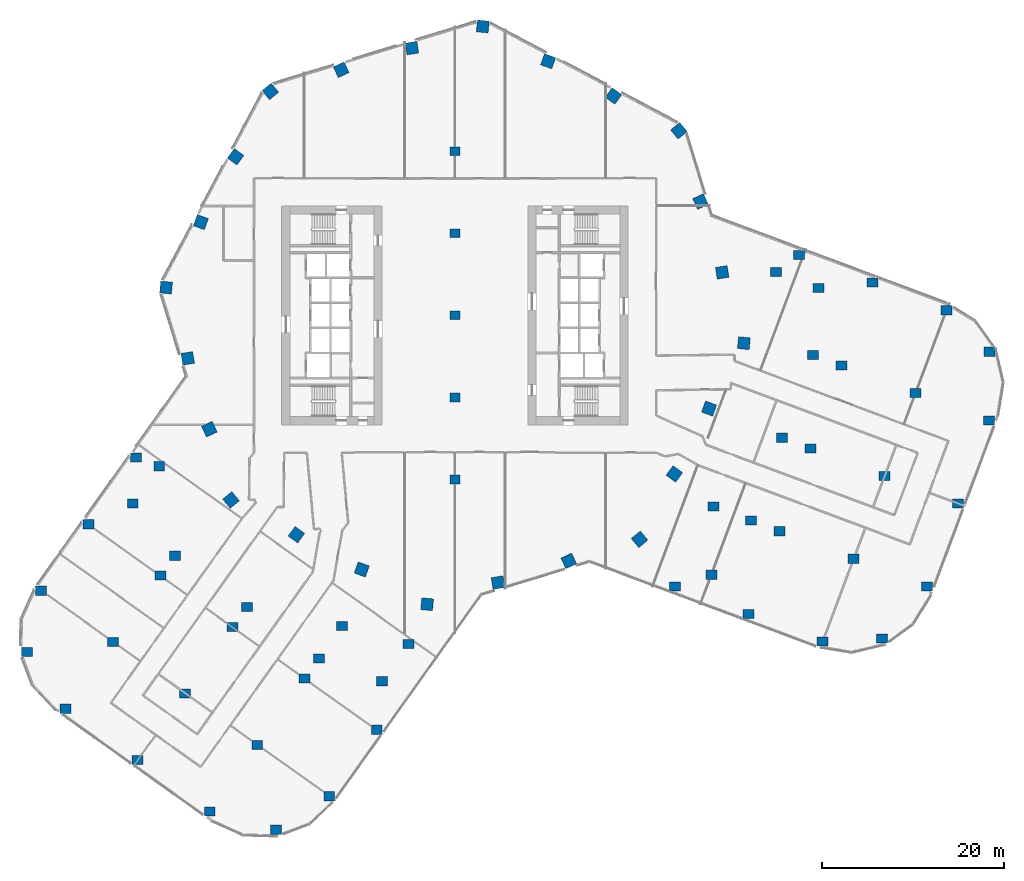
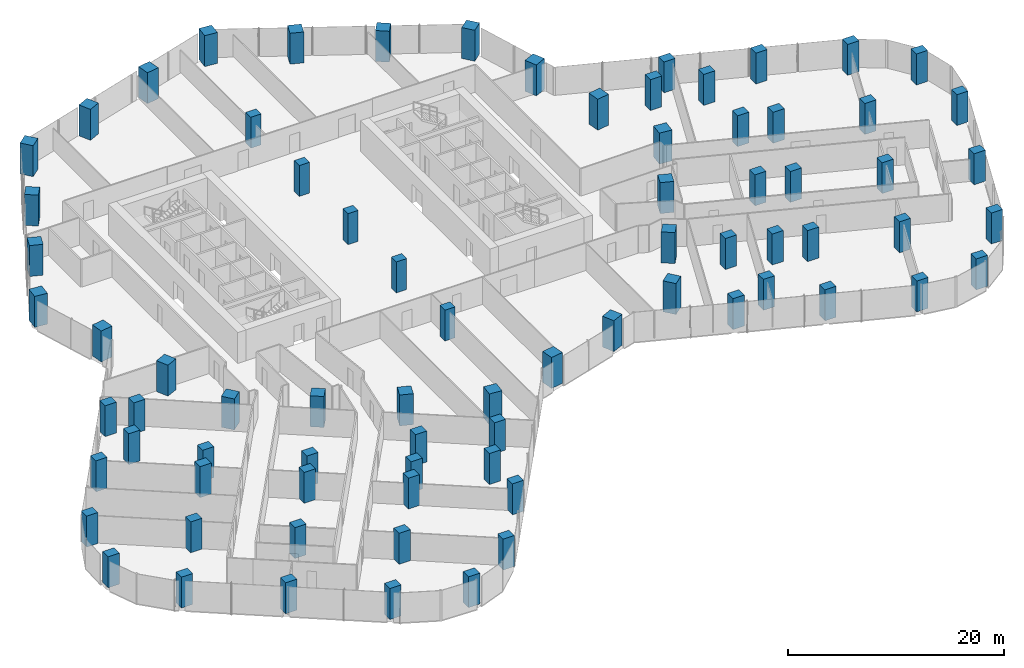
# One storey, part 1 of 31: 77 columns.
"""IFC4 building model written with IfcOpenShell, lengths in metres."""

from ifc_helpers import new_model, si_unit, direction, frame, origin, origin_2d, place, context, subcontext, project, spatial, rectangle, extrude, material, material_profile, profile_set, type_object, element, save


model = new_model("IFC4")

# Units and contexts
model_context = context("Model", 3, precision=1e-05, world=origin(), true_north=direction((0.0, 1.0)))
body_context = subcontext(model_context, "Body", "Model", "MODEL_VIEW")
ifc_project = project(units=[si_unit("LENGTHUNIT", "METRE"), si_unit("AREAUNIT", "SQUARE_METRE"), si_unit("VOLUMEUNIT", "CUBIC_METRE"), si_unit("PLANEANGLEUNIT", "RADIAN"), si_unit("MASSUNIT", "GRAM", prefix="KILO")], contexts=[model_context])

# Site, building, storey
site_placement = place(None, origin())
site = spatial("IfcSite", under=ifc_project, at=site_placement, CompositionType="ELEMENT")
building_placement = place(site_placement, origin())
building = spatial("IfcBuilding", under=site, at=building_placement, Name="Orlundy Tower", CompositionType="ELEMENT")
storey_placement = place(building_placement, frame((0.0, 0.0, 91.199951171875)))
storey = spatial("IfcBuildingStorey", under=building, at=storey_placement, Name="L22", CompositionType="ELEMENT", Elevation=91.199951171875)

# Columns
ifc_material_1 = material(Name="Concrete C80/95", Category="concrete")
ifc_material_profile_1 = material_profile(ifc_material_1, rectangle(XDim=1.10009765625, YDim=0.949951171875, at=origin_2d()), Name="RC1100X950")
ifc_profile_set_1 = profile_set([ifc_material_profile_1], Name="Concrete C80/95")
column_type_1 = type_object("IfcColumnType", Name="RC COLUMN RC1100X950 C80/95", PredefinedType="COLUMN", material=ifc_profile_set_1)
for number, where, z_axis, x_axis, name in (
    (1, (0.0, -18.0, 0.0), (0.0, 0.0, 1.0), (1.0, 0.0, 0.0), "Column C-M1 L22"),
    (2, (0.0, -9.0, 0.0), (0.0, 0.0, 1.0), (1.0, 0.0, 0.0), "Column C-M2 L22"),
    (3, (0.0, 0.0, 0.0), (0.0, 0.0, 1.0), (1.0, 0.0, 0.0), "Column C-M3 L22"),
    (4, (0.0, 9.0, 0.0), (0.0, 0.0, 1.0), (1.0, 0.0, 0.0), "Column C-M4 L22"),
    (5, (0.0, 18.0, 0.0), (0.0, 0.0, 1.0), (1.0, 0.0, 0.0), "Column C-M5 L22"),
):
    element("IfcColumn", number, at=place(storey_placement, frame(where, z_axis=z_axis, x_axis=x_axis)), inside=storey, type_object=column_type_1, Name=name, PredefinedType="COLUMN", context=body_context, shape_type="SweptSolid", body=[
        extrude(rectangle(XDim=1.10009765625, YDim=0.949951171875, at=origin_2d()), origin(), (0.0, 0.0, 1.0), 3.5),
    ])
ifc_material_2 = material(Name="Concrete C80/95", Category="concrete")
ifc_material_profile_2 = material_profile(ifc_material_2, rectangle(XDim=1.199951171875, YDim=1.0, at=origin_2d()), Name="RC1200X1000")
ifc_profile_set_2 = profile_set([ifc_material_profile_2], Name="Concrete C80/95")
column_type_2 = type_object("IfcColumnType", Name="RC COLUMN RC1200X1000 C80/95", PredefinedType="COLUMN", material=ifc_profile_set_2)
for number, where, z_axis, x_axis, name in (
    (6, (24.115966796875, -29.72802734375, 0.0), (0.0, 0.0, 1.0), (1.0, 0.0, 0.0), "Column C-A1-1 L22"),
    (7, (32.202880859375, -32.751953125, 0.0), (0.0, 0.0, 1.0), (1.0, 0.0, 0.0), "Column C-A1-2 L22"),
    (8, (40.291015625, -35.77099609375, 0.0), (0.0, 0.0, 1.0), (1.0, 0.0, 0.0), "Column C-A1-3 L22"),
    (9, (46.846923828125, -35.444091796875, 0.0), (0.0, 0.0, 1.0), (1.0, 0.0, 0.0), "Column C-A1-5 L22"),
    (10, (28.114013671875, -28.43994140625, 0.0), (0.0, 0.0, 1.0), (1.0, 0.0, 0.0), "Column C-A1-6 L22"),
    (11, (35.60009765625, -23.666015625, 0.0), (0.0, 0.0, 1.0), (1.0, 0.0, 0.0), "Column C-A2-2 L22"),
    (12, (43.68603515625, -26.68896484375, 0.0), (0.0, 0.0, 1.0), (1.0, 0.0, 0.0), "Column C-A2-3 L22"),
    (13, (51.77294921875, -29.712890625, 0.0), (0.0, 0.0, 1.0), (1.0, 0.0, 0.0), "Column C-A2-5 L22"),
    (14, (32.47802734375, -22.4990234375, 0.0), (0.0, 0.0, 1.0), (1.0, 0.0, 0.0), "Column C-A2-6 L22"),
    (15, (28.35595703125, -20.9580078125, 0.0), (0.0, 0.0, 1.0), (1.0, 0.0, 0.0), "Column C-A2-7 L22"),
    (16, (38.9970703125, -14.580078125, 0.0), (0.0, 0.0, 1.0), (1.0, 0.0, 0.0), "Column C-A3-2 L22"),
    (17, (47.0830078125, -17.60400390625, 0.0), (0.0, 0.0, 1.0), (1.0, 0.0, 0.0), "Column C-A3-3 L22"),
    (18, (55.169921875, -20.626953125, 0.0), (0.0, 0.0, 1.0), (1.0, 0.0, 0.0), "Column C-A3-5 L22"),
    (19, (35.875, -13.4130859375, 0.0), (0.0, 0.0, 1.0), (1.0, 0.0, 0.0), "Column C-A3-6 L22"),
    (20, (42.39404296875, -5.4951171875, 0.0), (0.0, 0.0, 1.0), (1.0, 0.0, 0.0), "Column C-A4-2 L22"),
    (21, (50.47998046875, -8.51806640625, 0.0), (0.0, 0.0, 1.0), (1.0, 0.0, 0.0), "Column C-A4-3 L22"),
    (22, (58.56689453125, -11.541015625, 0.0), (0.0, 0.0, 1.0), (1.0, 0.0, 0.0), "Column C-A4-5 L22"),
    (23, (39.27197265625, -4.326904296875, 0.0), (0.0, 0.0, 1.0), (1.0, 0.0, 0.0), "Column C-A4-6 L22"),
    (24, (37.7041015625, 6.614990234375, 0.0), (0.0, 0.0, 1.0), (1.0, 0.0, 0.0), "Column C-A5-1 L22"),
    (25, (45.791015625, 3.591064453125, 0.0), (0.0, 0.0, 1.0), (1.0, 0.0, 0.0), "Column C-A5-2 L22"),
    (26, (53.8759765625, 0.56396484375, 0.0), (0.0, 0.0, 1.0), (1.0, 0.0, 0.0), "Column C-A5-3 L22"),
    (27, (58.60888671875, -3.985107421875, 0.0), (0.0, 0.0, 1.0), (1.0, 0.0, 0.0), "Column C-A5-5 L22"),
    (28, (39.8759765625, 3.02001953125, 0.0), (0.0, 0.0, 1.0), (1.0, 0.0, 0.0), "Column C-A5-6 L22"),
    (29, (35.193115234375, 4.77099609375, 0.0), (0.0, 0.0, 1.0), (1.0, 0.0, 0.0), "Column C-A5-7 L22"),
    (30, (-34.95703125, -15.60009765625, 0.0), (0.0, 0.0, 1.0), (1.0, 0.0, 0.0), "Column C-B1-1 L22"),
    (31, (-40.1640625, -22.89990234375, 0.0), (0.0, 0.0, 1.0), (1.0, 0.0, 0.0), "Column C-B1-2 L22"),
    (32, (-45.37109375, -30.199951171875, 0.0), (0.0, 0.0, 1.0), (1.0, 0.0, 0.0), "Column C-B1-3 L22"),
    (33, (-46.94189453125, -36.89111328125, 0.0), (0.0, 0.0, 1.0), (1.0, 0.0, 0.0), "Column C-B1-5 L22"),
    (34, (-35.327880859375, -20.60888671875, 0.0), (0.0, 0.0, 1.0), (1.0, 0.0, 0.0), "Column C-B1-6 L22"),
    (35, (-32.424072265625, -16.5390625, 0.0), (0.0, 0.0, 1.0), (1.0, 0.0, 0.0), "Column C-B1-7 L22"),
    (36, (-32.26708984375, -28.532958984375, 0.0), (0.0, 0.0, 1.0), (1.0, 0.0, 0.0), "Column C-B2-2 L22"),
    (37, (-37.47412109375, -35.8330078125, 0.0), (0.0, 0.0, 1.0), (1.0, 0.0, 0.0), "Column C-B2-3 L22"),
    (38, (-42.680908203125, -43.133056640625, 0.0), (0.0, 0.0, 1.0), (1.0, 0.0, 0.0), "Column C-B2-5 L22"),
    (39, (-30.718994140625, -26.362060546875, 0.0), (0.0, 0.0, 1.0), (1.0, 0.0, 0.0), "Column C-B2-6 L22"),
    (40, (-24.3701171875, -34.166015625, 0.0), (0.0, 0.0, 1.0), (1.0, 0.0, 0.0), "Column C-B3-2 L22"),
    (41, (-29.576904296875, -41.466064453125, 0.0), (0.0, 0.0, 1.0), (1.0, 0.0, 0.0), "Column C-B3-3 L22"),
    (42, (-34.783935546875, -48.76611328125, 0.0), (0.0, 0.0, 1.0), (1.0, 0.0, 0.0), "Column C-B3-5 L22"),
    (43, (-22.822021484375, -31.9951171875, 0.0), (0.0, 0.0, 1.0), (1.0, 0.0, 0.0), "Column C-B3-6 L22"),
    (44, (-16.472900390625, -39.799072265625, 0.0), (0.0, 0.0, 1.0), (1.0, 0.0, 0.0), "Column C-B4-2 L22"),
    (45, (-21.679931640625, -47.097900390625, 0.0), (0.0, 0.0, 1.0), (1.0, 0.0, 0.0), "Column C-B4-3 L22"),
    (46, (-26.886962890625, -54.39794921875, 0.0), (0.0, 0.0, 1.0), (1.0, 0.0, 0.0), "Column C-B4-5 L22"),
    (47, (-14.925048828125, -37.6279296875, 0.0), (0.0, 0.0, 1.0), (1.0, 0.0, 0.0), "Column C-B4-6 L22"),
    (48, (-12.3701171875, -34.044921875, 0.0), (0.0, 0.0, 1.0), (1.0, 0.0, 0.0), "Column C-B4-7 L22"),
    (49, (-8.575927734375, -45.430908203125, 0.0), (0.0, 0.0, 1.0), (1.0, 0.0, 0.0), "Column C-B5-2 L22"),
    (50, (-13.782958984375, -52.73095703125, 0.0), (0.0, 0.0, 1.0), (1.0, 0.0, 0.0), "Column C-B5-3 L22"),
    (51, (-19.59912109375, -56.39501953125, 0.0), (0.0, 0.0, 1.0), (1.0, 0.0, 0.0), "Column C-B5-5 L22"),
    (52, (-7.985107421875, -40.113037109375, 0.0), (0.0, 0.0, 1.0), (1.0, 0.0, 0.0), "Column C-B5-6 L22"),
    (53, (-5.0810546875, -36.0419921875, 0.0), (0.0, 0.0, 1.0), (1.0, 0.0, 0.0), "Column C-B5-7 L22"),
):
    element("IfcColumn", number, at=place(storey_placement, frame(where, z_axis=z_axis, x_axis=x_axis)), inside=storey, type_object=column_type_2, Name=name, PredefinedType="COLUMN", context=body_context, shape_type="SweptSolid", body=[
        extrude(rectangle(XDim=1.199951171875, YDim=1.0, at=origin_2d()), origin(), (0.0, 0.0, 1.0), 3.5),
    ])
ifc_material_3 = material(Name="Concrete C80/95", Category="concrete")
ifc_material_profile_3 = material_profile(ifc_material_3, rectangle(XDim=1.300048828125, YDim=1.300048828125, at=origin_2d()), Name="RC1300X1300")
ifc_profile_set_3 = profile_set([ifc_material_profile_3], Name="Concrete C80/95")
column_type_3 = type_object("IfcColumnType", Name="RC COLUMN RC1300X1300 C80/95", PredefinedType="COLUMN", material=ifc_profile_set_3)
for number, where, z_axis, x_axis, name in (
    (54, (24.554931640625, 20.240966796875, 0.0), (0.0, 0.0, 1.0), (0.771635684929, 0.636064752791, 0.0), "Column C-H01 L22"),
    (55, (26.928955078125, 12.47802734375, 0.0), (0.0, 0.0, 1.0), (0.907330394129, 0.420418310601, 0.0), "Column C-H02 L22"),
    (56, (29.302001953125, 4.714111328125, 0.0), (0.0, 0.0, 1.0), (0.987305923232, 0.158830141822, 0.0), "Column C-H03 L22"),
    (57, (31.676025390625, -3.050048828125, 0.0), (0.0, 0.0, 1.0), (0.995396198367, -0.09584575252, 0.0), "Column C-H04 L22"),
    (58, (27.864013671875, -10.218017578125, 0.0), (0.0, 0.0, 1.0), (0.938866121832, -0.344282449852, 0.0), "Column C-H05 L22"),
    (59, (24.052978515625, -17.386962890625, 0.0), (0.0, 0.0, 1.0), (0.810430359136, -0.585834987851, 0.0), "Column C-H06 L22"),
    (60, (20.240966796875, -24.554931640625, 0.0), (0.0, 0.0, 1.0), (0.636064752791, -0.771635684929, 0.0), "Column C-H07 L22"),
    (61, (12.47802734375, -26.928955078125, 0.0), (0.0, 0.0, 1.0), (0.420418310601, -0.907330394129, 0.0), "Column C-H08 L22"),
    (62, (4.714111328125, -29.302001953125, 0.0), (0.0, 0.0, 1.0), (0.158830141822, -0.987305923232, 0.0), "Column C-H09 L22"),
    (63, (-3.050048828125, -31.676025390625, 0.0), (0.0, 0.0, 1.0), (-0.09584575252, -0.995396198367, 0.0), "Column C-H10 L22"),
    (64, (-10.218017578125, -27.864013671875, 0.0), (0.0, 0.0, 1.0), (-0.344282449852, -0.938866121832, 0.0), "Column C-H11 L22"),
    (65, (-17.386962890625, -24.052978515625, 0.0), (0.0, 0.0, 1.0), (-0.585834987851, -0.810430359136, 0.0), "Column C-H12 L22"),
    (66, (-24.554931640625, -20.240966796875, 0.0), (0.0, 0.0, 1.0), (-0.771635684929, -0.636064752791, 0.0), "Column C-H13 L22"),
    (67, (-26.928955078125, -12.47802734375, 0.0), (0.0, 0.0, 1.0), (-0.907330394129, -0.420418310601, 0.0), "Column C-H14 L22"),
    (68, (-29.302001953125, -4.714111328125, 0.0), (0.0, 0.0, 1.0), (-0.987305923232, -0.158830141822, 0.0), "Column C-H15 L22"),
    (69, (-31.676025390625, 3.050048828125, 0.0), (0.0, 0.0, 1.0), (-0.995396198367, 0.09584575252, 0.0), "Column C-H16 L22"),
    (70, (-27.864013671875, 10.218017578125, 0.0), (0.0, 0.0, 1.0), (-0.938866121832, 0.344282449852, 0.0), "Column C-H17 L22"),
    (71, (-24.052978515625, 17.386962890625, 0.0), (0.0, 0.0, 1.0), (-0.810430359136, 0.585834987851, 0.0), "Column C-H18 L22"),
    (72, (-20.240966796875, 24.554931640625, 0.0), (0.0, 0.0, 1.0), (-0.636064752791, 0.771635684929, 0.0), "Column C-H19 L22"),
    (73, (-12.47802734375, 26.928955078125, 0.0), (0.0, 0.0, 1.0), (-0.420418310601, 0.907330394129, 0.0), "Column C-H20 L22"),
    (74, (-4.714111328125, 29.302001953125, 0.0), (0.0, 0.0, 1.0), (-0.158830141822, 0.987305923232, 0.0), "Column C-H21 L22"),
    (75, (3.050048828125, 31.676025390625, 0.0), (0.0, 0.0, 1.0), (0.09584575252, 0.995396198367, 0.0), "Column C-H22 L22"),
    (76, (10.218017578125, 27.864013671875, 0.0), (0.0, 0.0, 1.0), (0.344282449852, 0.938866121832, 0.0), "Column C-H23 L22"),
    (77, (17.386962890625, 24.052978515625, 0.0), (0.0, 0.0, 1.0), (0.585834987851, 0.810430359136, 0.0), "Column C-H24 L22"),
):
    element("IfcColumn", number, at=place(storey_placement, frame(where, z_axis=z_axis, x_axis=x_axis)), inside=storey, type_object=column_type_3, Name=name, PredefinedType="COLUMN", context=body_context, shape_type="SweptSolid", body=[
        extrude(rectangle(XDim=1.300048828125, YDim=1.300048828125, at=origin_2d()), origin(), (0.0, 0.0, 1.0), 3.5),
    ])

save(model, "model.ifc")
